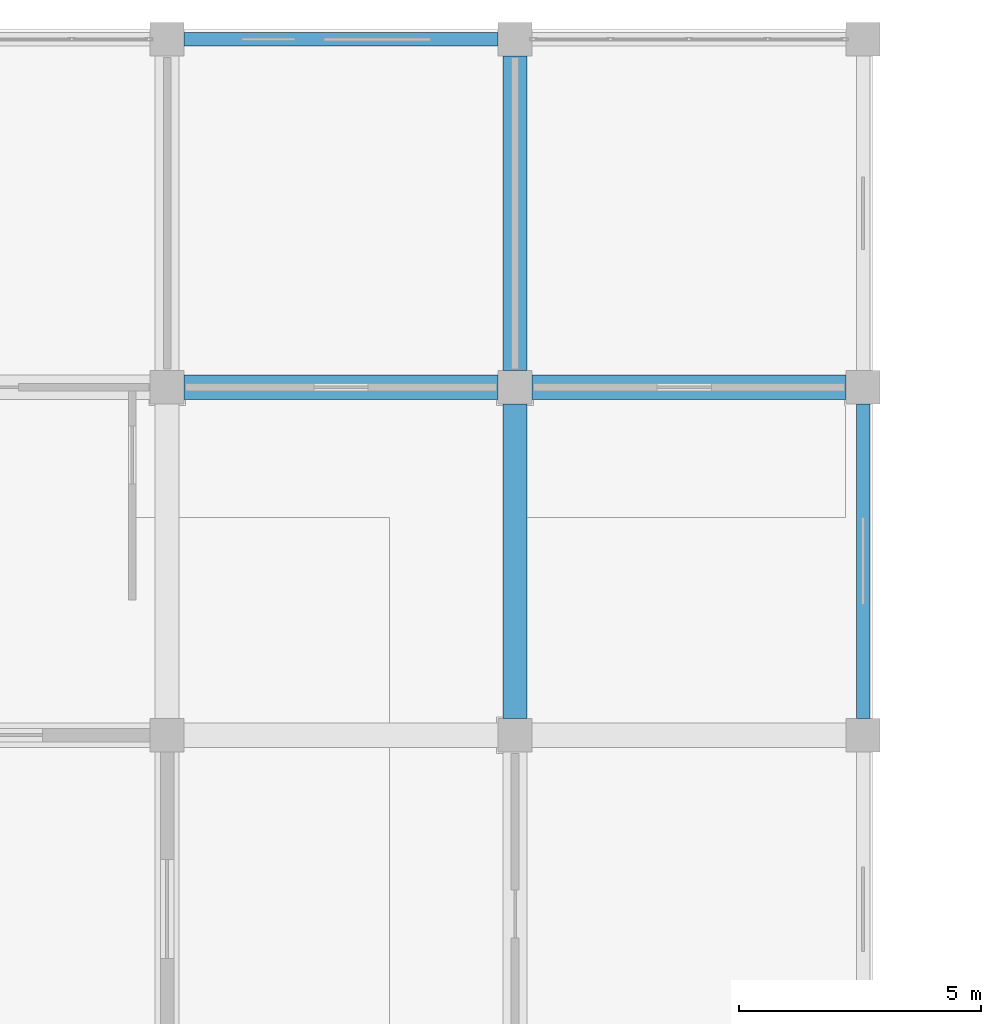
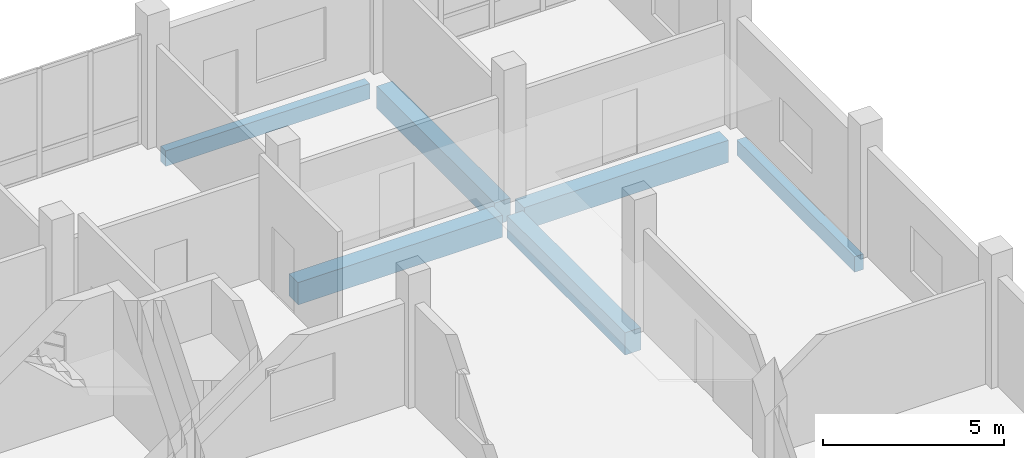
# One storey, part 99 of 139: 6 beams.
"""IFC4 building model written with IfcOpenShell, lengths in metres."""

from ifc_helpers import new_model, si_unit, direction, frame, origin, origin_2d, place, context, subcontext, project, spatial, rectangle, extrude, material, material_profile, profile_set, type_object, element, save


model = new_model("IFC4")

# Units and contexts
model_context = context("Model", 3, precision=1e-05, world=origin(), true_north=direction((0.0, 1.0)))
body_context = subcontext(model_context, "Body", "Model", "MODEL_VIEW")
ifc_project = project(units=[si_unit("LENGTHUNIT", "METRE"), si_unit("AREAUNIT", "SQUARE_METRE"), si_unit("VOLUMEUNIT", "CUBIC_METRE"), si_unit("PLANEANGLEUNIT", "RADIAN"), si_unit("MASSUNIT", "GRAM", prefix="KILO")], contexts=[model_context])

# Site, building, storey
site_placement = place(None, origin())
site = spatial("IfcSite", under=ifc_project, at=site_placement, CompositionType="ELEMENT")
building_placement = place(site_placement, origin())
building = spatial("IfcBuilding", under=site, at=building_placement, Name="Suanplinth Sawtooth Commons", CompositionType="ELEMENT")
storey_placement = place(building_placement, origin())
storey = spatial("IfcBuildingStorey", under=building, at=storey_placement, Name="L00", CompositionType="ELEMENT", Elevation=0.0)

# Beams
ifc_material_1 = material(Name="Concrete C40/50", Category="concrete")
ifc_material_profile_1 = material_profile(ifc_material_1, rectangle(XDim=0.5, YDim=0.75, at=origin_2d()), Name="RC-GDR 500x750")
ifc_profile_set_1 = profile_set([ifc_material_profile_1], Name="Concrete C40/50")
beam_type_1 = type_object("IfcBeamType", Name="B-03", PredefinedType="USERDEFINED", material=ifc_profile_set_1)
for number, where, z_axis, x_axis, name in (
    (1, (173.14990234375, 115.199951171875, -0.794921875), (1.0, 0.0, 0.0), (0.0, 1.0, 0.0), "BMX-L00-B-24-16"),
    (2, (180.35009765625, 115.199951171875, -0.794921875), (1.0, 0.0, 0.0), (0.0, 1.0, 0.0), "BMX-L00-B-25-16"),
    (3, (180.0, 108.35009765625, -0.794921875), (0.0, 1.0, 0.0), (-1.0, 0.0, 0.0), "BMY-L00-B-25-15"),
    (4, (180.0, 115.550048828125, -0.794921875), (0.0, 1.0, 0.0), (-1.0, 0.0, 0.0), "BMY-L00-B-25-16"),
):
    element("IfcBeam", number, at=place(storey_placement, frame(where, z_axis=z_axis, x_axis=x_axis)), inside=storey, type_object=beam_type_1, Name=name, ObjectType="GIRDER", PredefinedType="USERDEFINED", context=body_context, shape_type="SweptSolid", body=[
        extrude(rectangle(XDim=0.5, YDim=0.75, at=origin_2d()), origin(), (0.0, 0.0, 1.0), 6.5),
    ])
ifc_material_2 = material(Name="Precast concrete C40/50", Category="concrete")
ifc_material_profile_2 = material_profile(ifc_material_2, rectangle(XDim=0.280029296875, YDim=0.52001953125, at=origin_2d()), Name="PC-SP 280x520")
ifc_profile_set_2 = profile_set([ifc_material_profile_2], Name="Precast concrete C40/50")
beam_type_2 = type_object("IfcBeamType", Name="B-08", PredefinedType="SPANDREL", material=ifc_profile_set_2)
for number, where, z_axis, x_axis, name in (
    (5, (173.14990234375, 122.39990234375, -0.679931640625), (1.0, 0.0, 0.0), (0.0, 1.0, 0.0), "BMX-L00-B-24-17"),
    (6, (187.199951171875, 108.35009765625, -0.679931640625), (0.0, 1.0, 0.0), (-1.0, 0.0, 0.0), "BMY-L00-B-26-15"),
):
    element("IfcBeam", number, at=place(storey_placement, frame(where, z_axis=z_axis, x_axis=x_axis)), inside=storey, type_object=beam_type_2, Name=name, PredefinedType="SPANDREL", context=body_context, shape_type="SweptSolid", body=[
        extrude(rectangle(XDim=0.280029296875, YDim=0.52001953125, at=origin_2d()), origin(), (0.0, 0.0, 1.0), 6.5),
    ])

save(model, "model.ifc")
